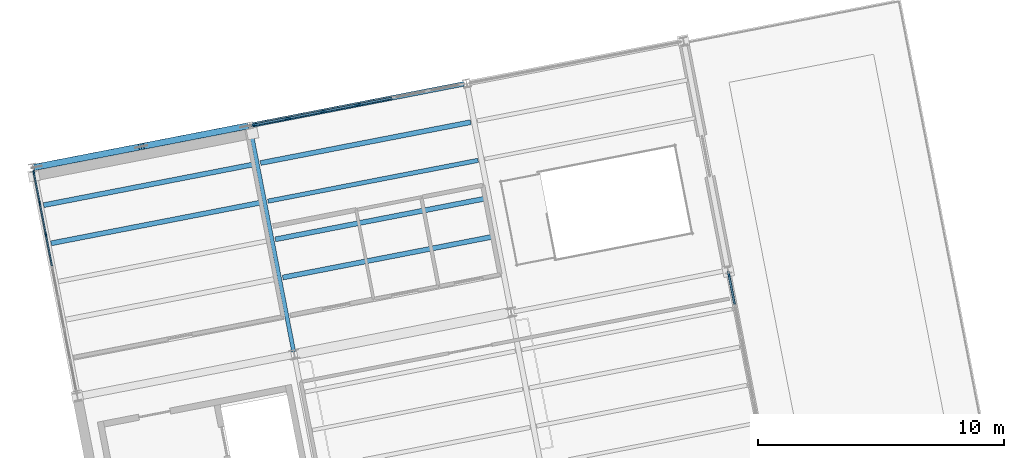
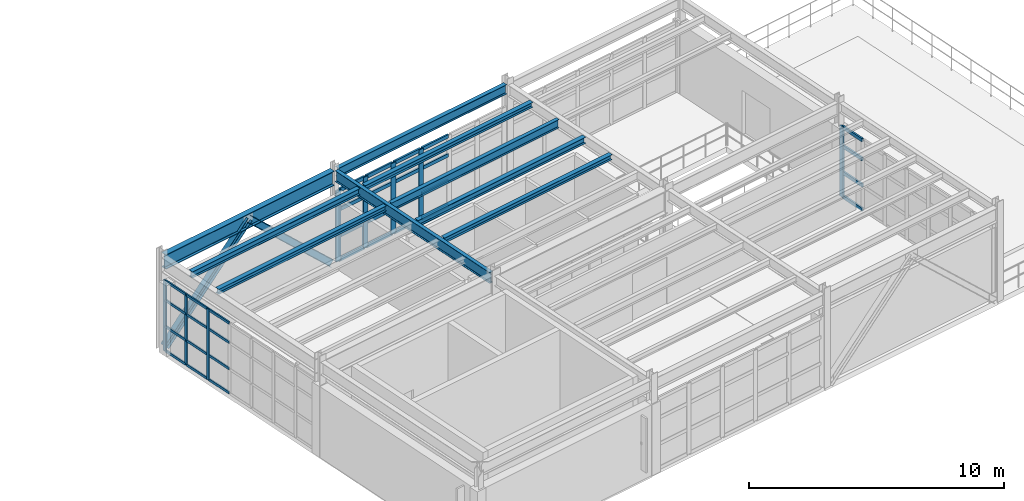
# One storey, part 20 of 102: 42 members, 9 beams, 3 elements without a shape of their own.
"""IFC4 building model written with IfcOpenShell, lengths in metres."""

from ifc_helpers import new_model, si_unit, direction, frame, origin, origin_2d, place, context, subcontext, project, spatial, rectangle, i_section, extrude, material, layer, layer_set, material_profile, profile_set, type_object, element, aggregate, save


model = new_model("IFC4")

# Units and contexts
model_context = context("Model", 3, precision=1e-05, world=origin(), true_north=direction((0.0, 1.0)))
body_context = subcontext(model_context, "Body", "Model", "MODEL_VIEW")
ifc_project = project(units=[si_unit("LENGTHUNIT", "METRE"), si_unit("AREAUNIT", "SQUARE_METRE"), si_unit("VOLUMEUNIT", "CUBIC_METRE"), si_unit("PLANEANGLEUNIT", "RADIAN"), si_unit("MASSUNIT", "GRAM", prefix="KILO")], contexts=[model_context])

# Site, building, storey
site_placement = place(None, origin())
site = spatial("IfcSite", under=ifc_project, at=site_placement, CompositionType="ELEMENT")
building_placement = place(site_placement, origin())
building = spatial("IfcBuilding", under=site, at=building_placement, Name="Vireo Bluff Cable Station", CompositionType="ELEMENT")
storey_placement = place(building_placement, frame((0.0, 0.0, 9.60009765625)))
storey = spatial("IfcBuildingStorey", under=building, at=storey_placement, Name="L02", CompositionType="ELEMENT", Elevation=9.60009765625)

# Beam
ifc_material_1 = material(Name="Steel ASTM A992 Gr. 50", Category="steel")
ifc_material_profile_1 = material_profile(ifc_material_1, i_section(OverallWidth=0.166015625, OverallDepth=0.528076171875, WebThickness=0.009765625, FlangeThickness=0.013671875, FilletRadius=0.012939453125, at=origin_2d()), Name="W21X50")
ifc_profile_set_1 = profile_set([ifc_material_profile_1], Name="Steel ASTM A992 Gr. 50")
beam_type_1 = type_object("IfcBeamType", Name="BM-W21X50", PredefinedType="BEAM", material=ifc_profile_set_1)
beam_1_placement = place(storey_placement, frame((16.4990234375, 16.66064453125, 4.23583984375), z_axis=(-0.190804735679, 0.981628011439, 0.0), x_axis=(-0.981628011439, -0.190804735679, 0.0)))
element("IfcBeam", 1, at=beam_1_placement, inside=storey, type_object=beam_type_1, Name="V5 L02 beam 1261", PredefinedType="BEAM", context=body_context, shape_type="SweptSolid", body=[
    extrude(i_section(OverallWidth=0.166015625, OverallDepth=0.528076171875, WebThickness=0.009765625, FlangeThickness=0.013671875, FilletRadius=0.012939453125, at=origin_2d()), origin(), (0.0, 0.0, 1.0), 9.260009765625),
])

# Members
ifc_material_profile_2 = material_profile(ifc_material_1, i_section(OverallWidth=0.25390625, OverallDepth=0.305908203125, WebThickness=0.0087890625, FlangeThickness=0.0146484375, FilletRadius=0.010986328125, at=origin_2d()), Name="W12X53")
ifc_profile_set_2 = profile_set([ifc_material_profile_2], Name="Steel ASTM A992 Gr. 50")
member_type_1 = type_object("IfcMemberType", Name="BRC-04", PredefinedType="BRACE", material=ifc_profile_set_2)
member_1_placement = place(storey_placement, frame((6.03173828125, 24.181396484375, 0.039794921875), z_axis=(0.710276289575, 0.13806631371, 0.690250161525), x_axis=(-0.190812443151, 0.981626513262, 0.0)))
element("IfcMember", 2, at=member_1_placement, inside=storey, type_object=member_type_1, Name="V5 L02 concentric brace 99L", PredefinedType="BRACE", context=body_context, shape_type="SweptSolid", body=[
    extrude(i_section(OverallWidth=0.25390625, OverallDepth=0.305908203125, WebThickness=0.0087890625, FlangeThickness=0.0146484375, FilletRadius=0.010986328125, at=origin_2d()), origin(), (0.0, 0.0, 1.0), 5.998046875),
])
ifc_material_profile_3 = material_profile(ifc_material_1, i_section(OverallWidth=0.25390625, OverallDepth=0.31005859375, WebThickness=0.009033203125, FlangeThickness=0.016357421875, FilletRadius=0.010986328125, at=origin_2d()), Name="W12X58")
ifc_profile_set_3 = profile_set([ifc_material_profile_3], Name="Steel ASTM A992 Gr. 50")
member_type_2 = type_object("IfcMemberType", Name="BRC-05", PredefinedType="BRACE", material=ifc_profile_set_3)
member_2_placement = place(storey_placement, frame((14.55224609375, 25.837646484375, 0.039794921875), z_axis=(-0.710276289575, -0.13806631371, 0.690250161525), x_axis=(0.190812443151, -0.981626513262, 0.0)))
element("IfcMember", 3, at=member_2_placement, inside=storey, type_object=member_type_2, Name="V5 L02 concentric brace 100R", PredefinedType="BRACE", context=body_context, shape_type="SweptSolid", body=[
    extrude(i_section(OverallWidth=0.25390625, OverallDepth=0.31005859375, WebThickness=0.009033203125, FlangeThickness=0.016357421875, FilletRadius=0.010986328125, at=origin_2d()), origin(), (0.0, 0.0, 1.0), 5.998046875),
])

# Curtain wall, member
ifc_material_2 = material(Name="Anodized Aluminium 6063-T6", Category="aluminium")
ifc_layer_1 = layer(ifc_material_2, 0.179931640625, Name="Anodized Aluminium 6063-T6")
ifc_layer_set_1 = layer_set([ifc_layer_1], Name="Anodized Aluminium 6063-T6")
curtain_wall_type_1 = type_object("IfcCurtainWallType", Name="CW-UNIT-1400", PredefinedType="USERDEFINED", material=ifc_layer_set_1)
curtain_wall_1_placement = place(storey_placement, origin())
curtain_wall_1 = element("IfcCurtainWall", 4, at=curtain_wall_1_placement, inside=storey, type_object=curtain_wall_type_1, Name="V5 L02 east curtain wall CW-129", ObjectType="UNITISED CURTAIN WALL", PredefinedType="USERDEFINED")
ifc_material_profile_4 = material_profile(ifc_material_2, rectangle(XDim=0.074951171875, YDim=0.2099609375, at=origin_2d()), Name="ALU-M-75X210")
ifc_profile_set_4 = profile_set([ifc_material_profile_4], Name="Anodized Aluminium 6063-T6")
member_type_3 = type_object("IfcMemberType", Name="CWM-02", PredefinedType="MULLION", material=ifc_profile_set_4)
member_3_placement = place(storey_placement, frame((34.223876953125, 19.808837890625, 0.0), z_axis=(0.0, 0.0, 1.0), x_axis=(0.981627178352, 0.190809021589, 0.0)))
member_3 = element("IfcMember", 5, at=member_3_placement, type_object=member_type_3, Name="CW-129 mullion 1", PredefinedType="MULLION", context=body_context, shape_type="SweptSolid", body=[
    extrude(rectangle(XDim=0.074951171875, YDim=0.2099609375, at=origin_2d()), origin(), (0.0, 0.0, 1.0), 3.39990234375),
])

# Curtain wall, members
curtain_wall_2_placement = place(storey_placement, origin())
curtain_wall_2 = element("IfcCurtainWall", 6, at=curtain_wall_2_placement, inside=storey, type_object=curtain_wall_type_1, Name="V5 L02 west curtain wall CW-126", ObjectType="UNITISED CURTAIN WALL", PredefinedType="USERDEFINED")
ifc_material_profile_5 = material_profile(ifc_material_2, rectangle(XDim=0.06005859375, YDim=0.159912109375, at=origin_2d()), Name="ALU-M-60X160")
ifc_profile_set_5 = profile_set([ifc_material_profile_5], Name="Anodized Aluminium 6063-T6")
member_type_4 = type_object("IfcMemberType", Name="CWM-03", PredefinedType="MULLION", material=ifc_profile_set_5)
member_4_placement = place(storey_placement, frame((6.406494140625, 21.414306640625, 0.0), z_axis=(0.0, 0.0, 1.0), x_axis=(-0.981627180714, -0.190809009442, 0.0)))
member_4 = element("IfcMember", 7, at=member_4_placement, type_object=member_type_4, Name="CW-126 mullion 6", PredefinedType="MULLION", context=body_context, shape_type="SweptSolid", body=[
    extrude(rectangle(XDim=0.06005859375, YDim=0.159912109375, at=origin_2d()), origin(), (0.0, 0.0, 1.0), 3.39990234375),
])
member_5_placement = place(storey_placement, frame((6.15673828125, 22.699951171875, 0.0), z_axis=(0.0, 0.0, 1.0), x_axis=(-0.981627180714, -0.190809009442, 0.0)))
member_5 = element("IfcMember", 8, at=member_5_placement, type_object=member_type_4, Name="CW-126 mullion 7", PredefinedType="MULLION", context=body_context, shape_type="SweptSolid", body=[
    extrude(rectangle(XDim=0.06005859375, YDim=0.159912109375, at=origin_2d()), origin(), (0.0, 0.0, 1.0), 3.39990234375),
])
member_6_placement = place(storey_placement, frame((5.91259765625, 23.9560546875, 0.0), z_axis=(0.0, 0.0, 1.0), x_axis=(-0.981627180714, -0.190809009442, 0.0)))
member_6 = element("IfcMember", 9, at=member_6_placement, type_object=member_type_4, Name="CW-126 mullion 8", PredefinedType="MULLION", context=body_context, shape_type="SweptSolid", body=[
    extrude(rectangle(XDim=0.06005859375, YDim=0.159912109375, at=origin_2d()), origin(), (0.0, 0.0, 1.0), 3.39990234375),
])

ifc_layer_2 = layer(ifc_material_2, 0.179931640625, Name="Anodized Aluminium 6063-T6")
ifc_layer_set_2 = layer_set([ifc_layer_2], Name="Anodized Aluminium 6063-T6")
curtain_wall_type_2 = type_object("IfcCurtainWallType", Name="CW-UNIT-1500", PredefinedType="USERDEFINED", material=ifc_layer_set_2)
curtain_wall_3_placement = place(storey_placement, origin())
curtain_wall_3 = element("IfcCurtainWall", 10, at=curtain_wall_3_placement, inside=storey, type_object=curtain_wall_type_2, Name="V5 L02 north curtain wall CW-127", ObjectType="UNITISED CURTAIN WALL", PredefinedType="USERDEFINED")
ifc_material_profile_6 = material_profile(ifc_material_2, rectangle(XDim=0.080078125, YDim=0.239990234375, at=origin_2d()), Name="ALU-M-80X240")
ifc_profile_set_6 = profile_set([ifc_material_profile_6], Name="Anodized Aluminium 6063-T6")
member_type_5 = type_object("IfcMemberType", Name="CWM-04", PredefinedType="MULLION", material=ifc_profile_set_6)
member_7_placement = place(storey_placement, frame((14.875732421875, 25.900634765625, 0.0), z_axis=(0.0, 0.0, 1.0), x_axis=(-0.19080899942, 0.981627182662, 0.0)))
member_7 = element("IfcMember", 11, at=member_7_placement, type_object=member_type_5, Name="CW-127 mullion 1", PredefinedType="MULLION", context=body_context, shape_type="SweptSolid", body=[
    extrude(rectangle(XDim=0.080078125, YDim=0.239990234375, at=origin_2d()), origin(), (0.0, 0.0, 1.0), 3.39990234375),
])
member_8_placement = place(storey_placement, frame((16.26171875, 26.169921875, 0.0), z_axis=(0.0, 0.0, 1.0), x_axis=(-0.19080899942, 0.981627182662, 0.0)))
member_8 = element("IfcMember", 12, at=member_8_placement, type_object=member_type_5, Name="CW-127 mullion 2", PredefinedType="MULLION", context=body_context, shape_type="SweptSolid", body=[
    extrude(rectangle(XDim=0.080078125, YDim=0.239990234375, at=origin_2d()), origin(), (0.0, 0.0, 1.0), 3.39990234375),
])
member_9_placement = place(storey_placement, frame((17.68701171875, 26.447021484375, 0.0), z_axis=(0.0, 0.0, 1.0), x_axis=(-0.19080899942, 0.981627182662, 0.0)))
member_9 = element("IfcMember", 13, at=member_9_placement, type_object=member_type_5, Name="CW-127 mullion 3", PredefinedType="MULLION", context=body_context, shape_type="SweptSolid", body=[
    extrude(rectangle(XDim=0.080078125, YDim=0.239990234375, at=origin_2d()), origin(), (0.0, 0.0, 1.0), 3.39990234375),
])
member_10_placement = place(storey_placement, frame((19.1123046875, 26.72412109375, 0.0), z_axis=(0.0, 0.0, 1.0), x_axis=(-0.19080899942, 0.981627182662, 0.0)))
member_10 = element("IfcMember", 14, at=member_10_placement, type_object=member_type_5, Name="CW-127 mullion 4", PredefinedType="MULLION", context=body_context, shape_type="SweptSolid", body=[
    extrude(rectangle(XDim=0.080078125, YDim=0.239990234375, at=origin_2d()), origin(), (0.0, 0.0, 1.0), 3.39990234375),
])

# Member
ifc_material_profile_7 = material_profile(ifc_material_2, rectangle(XDim=0.074951171875, YDim=0.159912109375, at=origin_2d()), Name="ALU-T-75X160")
ifc_profile_set_7 = profile_set([ifc_material_profile_7], Name="Anodized Aluminium 6063-T6")
member_type_6 = type_object("IfcMemberType", Name="CWT-02", PredefinedType="USERDEFINED", material=ifc_profile_set_7)
member_11_placement = place(storey_placement, frame((34.231201171875, 19.772216796875, 0.037353515625), z_axis=(0.190684852414, -0.981651306249, 0.0), x_axis=(0.981651306249, 0.190684852414, 0.0)))
member_11 = element("IfcMember", 15, at=member_11_placement, type_object=member_type_6, Name="CW-129 transom 1.1", ObjectType="TRANSOM", PredefinedType="USERDEFINED", context=body_context, shape_type="SweptSolid", body=[
    extrude(rectangle(XDim=0.074951171875, YDim=0.159912109375, at=origin_2d()), origin(), (0.0, 0.0, 1.0), 1.2021484375),
])

member_12_placement = place(storey_placement, frame((34.231201171875, 19.772216796875, 1.18994140625), z_axis=(0.190684852414, -0.981651306249, 0.0), x_axis=(0.981651306249, 0.190684852414, 0.0)))
member_12 = element("IfcMember", 16, at=member_12_placement, type_object=member_type_6, Name="CW-129 transom 1.2", ObjectType="TRANSOM", PredefinedType="USERDEFINED", context=body_context, shape_type="SweptSolid", body=[
    extrude(rectangle(XDim=0.074951171875, YDim=0.159912109375, at=origin_2d()), origin(), (0.0, 0.0, 1.0), 1.2021484375),
])

member_13_placement = place(storey_placement, frame((34.231201171875, 19.772216796875, 2.447998046875), z_axis=(0.190684852414, -0.981651306249, 0.0), x_axis=(0.981651306249, 0.190684852414, 0.0)))
member_13 = element("IfcMember", 17, at=member_13_placement, type_object=member_type_6, Name="CW-129 transom 1.3", ObjectType="TRANSOM", PredefinedType="USERDEFINED", context=body_context, shape_type="SweptSolid", body=[
    extrude(rectangle(XDim=0.074951171875, YDim=0.159912109375, at=origin_2d()), origin(), (0.0, 0.0, 1.0), 1.2021484375),
])

member_14_placement = place(storey_placement, frame((34.231201171875, 19.772216796875, 3.3623046875), z_axis=(0.190684852414, -0.981651306249, 0.0), x_axis=(0.981651306249, 0.190684852414, 0.0)))
member_14 = element("IfcMember", 18, at=member_14_placement, type_object=member_type_6, Name="CW-129 transom 1.4", ObjectType="TRANSOM", PredefinedType="USERDEFINED", context=body_context, shape_type="SweptSolid", body=[
    extrude(rectangle(XDim=0.074951171875, YDim=0.159912109375, at=origin_2d()), origin(), (0.0, 0.0, 1.0), 1.2021484375),
])

aggregate(curtain_wall_1, [member_3, member_11, member_12, member_13, member_14])

ifc_material_profile_8 = material_profile(ifc_material_2, rectangle(XDim=0.06005859375, YDim=0.1201171875, at=origin_2d()), Name="ALU-T-60X120")
ifc_profile_set_8 = profile_set([ifc_material_profile_8], Name="Anodized Aluminium 6063-T6")
member_type_7 = type_object("IfcMemberType", Name="CWT-03", PredefinedType="USERDEFINED", material=ifc_profile_set_8)
member_15_placement = place(storey_placement, frame((6.65087890625, 20.157958984375, 0.02978515625), z_axis=(-0.190853973226, 0.98161843957, 0.0), x_axis=(-0.98161843957, -0.190853973226, 0.0)))
member_15 = element("IfcMember", 19, at=member_15_placement, type_object=member_type_7, Name="CW-126 transom 5.1", ObjectType="TRANSOM", PredefinedType="USERDEFINED", context=body_context, shape_type="SweptSolid", body=[
    extrude(rectangle(XDim=0.06005859375, YDim=0.1201171875, at=origin_2d()), origin(), (0.0, 0.0, 1.0), 1.249755859375),
])

member_16_placement = place(storey_placement, frame((6.65087890625, 20.157958984375, 1.18994140625), z_axis=(-0.190853973226, 0.98161843957, 0.0), x_axis=(-0.98161843957, -0.190853973226, 0.0)))
member_16 = element("IfcMember", 20, at=member_16_placement, type_object=member_type_7, Name="CW-126 transom 5.2", ObjectType="TRANSOM", PredefinedType="USERDEFINED", context=body_context, shape_type="SweptSolid", body=[
    extrude(rectangle(XDim=0.06005859375, YDim=0.1201171875, at=origin_2d()), origin(), (0.0, 0.0, 1.0), 1.249755859375),
])

member_17_placement = place(storey_placement, frame((6.65087890625, 20.157958984375, 2.447998046875), z_axis=(-0.190853973226, 0.98161843957, 0.0), x_axis=(-0.98161843957, -0.190853973226, 0.0)))
member_17 = element("IfcMember", 21, at=member_17_placement, type_object=member_type_7, Name="CW-126 transom 5.3", ObjectType="TRANSOM", PredefinedType="USERDEFINED", context=body_context, shape_type="SweptSolid", body=[
    extrude(rectangle(XDim=0.06005859375, YDim=0.1201171875, at=origin_2d()), origin(), (0.0, 0.0, 1.0), 1.249755859375),
])

member_18_placement = place(storey_placement, frame((6.65087890625, 20.157958984375, 3.369873046875), z_axis=(-0.190853973226, 0.98161843957, 0.0), x_axis=(-0.98161843957, -0.190853973226, 0.0)))
member_18 = element("IfcMember", 22, at=member_18_placement, type_object=member_type_7, Name="CW-126 transom 5.4", ObjectType="TRANSOM", PredefinedType="USERDEFINED", context=body_context, shape_type="SweptSolid", body=[
    extrude(rectangle(XDim=0.06005859375, YDim=0.1201171875, at=origin_2d()), origin(), (0.0, 0.0, 1.0), 1.249755859375),
])

member_19_placement = place(storey_placement, frame((6.40087890625, 21.443603515625, 0.02978515625), z_axis=(-0.190853973226, 0.98161843957, 0.0), x_axis=(-0.98161843957, -0.190853973226, 0.0)))
member_19 = element("IfcMember", 23, at=member_19_placement, type_object=member_type_7, Name="CW-126 transom 6.1", ObjectType="TRANSOM", PredefinedType="USERDEFINED", context=body_context, shape_type="SweptSolid", body=[
    extrude(rectangle(XDim=0.06005859375, YDim=0.1201171875, at=origin_2d()), origin(), (0.0, 0.0, 1.0), 1.249755859375),
])

member_20_placement = place(storey_placement, frame((6.40087890625, 21.443603515625, 1.18994140625), z_axis=(-0.190853973226, 0.98161843957, 0.0), x_axis=(-0.98161843957, -0.190853973226, 0.0)))
member_20 = element("IfcMember", 24, at=member_20_placement, type_object=member_type_7, Name="CW-126 transom 6.2", ObjectType="TRANSOM", PredefinedType="USERDEFINED", context=body_context, shape_type="SweptSolid", body=[
    extrude(rectangle(XDim=0.06005859375, YDim=0.1201171875, at=origin_2d()), origin(), (0.0, 0.0, 1.0), 1.249755859375),
])

member_21_placement = place(storey_placement, frame((6.40087890625, 21.443603515625, 2.447998046875), z_axis=(-0.190853973226, 0.98161843957, 0.0), x_axis=(-0.98161843957, -0.190853973226, 0.0)))
member_21 = element("IfcMember", 25, at=member_21_placement, type_object=member_type_7, Name="CW-126 transom 6.3", ObjectType="TRANSOM", PredefinedType="USERDEFINED", context=body_context, shape_type="SweptSolid", body=[
    extrude(rectangle(XDim=0.06005859375, YDim=0.1201171875, at=origin_2d()), origin(), (0.0, 0.0, 1.0), 1.249755859375),
])

member_22_placement = place(storey_placement, frame((6.40087890625, 21.443603515625, 3.369873046875), z_axis=(-0.190853973226, 0.98161843957, 0.0), x_axis=(-0.98161843957, -0.190853973226, 0.0)))
member_22 = element("IfcMember", 26, at=member_22_placement, type_object=member_type_7, Name="CW-126 transom 6.4", ObjectType="TRANSOM", PredefinedType="USERDEFINED", context=body_context, shape_type="SweptSolid", body=[
    extrude(rectangle(XDim=0.06005859375, YDim=0.1201171875, at=origin_2d()), origin(), (0.0, 0.0, 1.0), 1.249755859375),
])

member_23_placement = place(storey_placement, frame((6.15087890625, 22.729248046875, 0.02978515625), z_axis=(-0.190762503487, 0.981636219413, 0.0), x_axis=(-0.981636219413, -0.190762503487, 0.0)))
member_23 = element("IfcMember", 27, at=member_23_placement, type_object=member_type_7, Name="CW-126 transom 7.1", ObjectType="TRANSOM", PredefinedType="USERDEFINED", context=body_context, shape_type="SweptSolid", body=[
    extrude(rectangle(XDim=0.06005859375, YDim=0.1201171875, at=origin_2d()), origin(), (0.0, 0.0, 1.0), 1.2197265625),
])

member_24_placement = place(storey_placement, frame((6.15087890625, 22.729248046875, 1.18994140625), z_axis=(-0.190762503487, 0.981636219413, 0.0), x_axis=(-0.981636219413, -0.190762503487, 0.0)))
member_24 = element("IfcMember", 28, at=member_24_placement, type_object=member_type_7, Name="CW-126 transom 7.2", ObjectType="TRANSOM", PredefinedType="USERDEFINED", context=body_context, shape_type="SweptSolid", body=[
    extrude(rectangle(XDim=0.06005859375, YDim=0.1201171875, at=origin_2d()), origin(), (0.0, 0.0, 1.0), 1.2197265625),
])

member_25_placement = place(storey_placement, frame((6.15087890625, 22.729248046875, 2.447998046875), z_axis=(-0.190762503487, 0.981636219413, 0.0), x_axis=(-0.981636219413, -0.190762503487, 0.0)))
member_25 = element("IfcMember", 29, at=member_25_placement, type_object=member_type_7, Name="CW-126 transom 7.3", ObjectType="TRANSOM", PredefinedType="USERDEFINED", context=body_context, shape_type="SweptSolid", body=[
    extrude(rectangle(XDim=0.06005859375, YDim=0.1201171875, at=origin_2d()), origin(), (0.0, 0.0, 1.0), 1.2197265625),
])

member_26_placement = place(storey_placement, frame((6.15087890625, 22.729248046875, 3.369873046875), z_axis=(-0.190762503487, 0.981636219413, 0.0), x_axis=(-0.981636219413, -0.190762503487, 0.0)))
member_26 = element("IfcMember", 30, at=member_26_placement, type_object=member_type_7, Name="CW-126 transom 7.4", ObjectType="TRANSOM", PredefinedType="USERDEFINED", context=body_context, shape_type="SweptSolid", body=[
    extrude(rectangle(XDim=0.06005859375, YDim=0.1201171875, at=origin_2d()), origin(), (0.0, 0.0, 1.0), 1.2197265625),
])

aggregate(curtain_wall_2, [member_4, member_5, member_6, member_15, member_16, member_17, member_18, member_19, member_20, member_21, member_22, member_23, member_24, member_25, member_26])

ifc_material_profile_9 = material_profile(ifc_material_2, rectangle(XDim=0.080078125, YDim=0.175048828125, at=origin_2d()), Name="ALU-T-80X175")
ifc_profile_set_9 = profile_set([ifc_material_profile_9], Name="Anodized Aluminium 6063-T6")
member_type_8 = type_object("IfcMemberType", Name="CWT-04", PredefinedType="USERDEFINED", material=ifc_profile_set_9)
member_27_placement = place(storey_placement, frame((14.9150390625, 25.908203125, 0.039794921875), z_axis=(0.981623974934, 0.19082550101, 0.0), x_axis=(-0.19082550101, 0.981623974934, 0.0)))
member_27 = element("IfcMember", 31, at=member_27_placement, type_object=member_type_8, Name="CW-127 transom 1.1", ObjectType="TRANSOM", PredefinedType="USERDEFINED", context=body_context, shape_type="SweptSolid", body=[
    extrude(rectangle(XDim=0.080078125, YDim=0.175048828125, at=origin_2d()), origin(), (0.0, 0.0, 1.0), 1.331787109375),
])

member_28_placement = place(storey_placement, frame((14.9150390625, 25.908203125, 1.18994140625), z_axis=(0.981623974934, 0.19082550101, 0.0), x_axis=(-0.19082550101, 0.981623974934, 0.0)))
member_28 = element("IfcMember", 32, at=member_28_placement, type_object=member_type_8, Name="CW-127 transom 1.2", ObjectType="TRANSOM", PredefinedType="USERDEFINED", context=body_context, shape_type="SweptSolid", body=[
    extrude(rectangle(XDim=0.080078125, YDim=0.175048828125, at=origin_2d()), origin(), (0.0, 0.0, 1.0), 1.331787109375),
])

member_29_placement = place(storey_placement, frame((14.9150390625, 25.908203125, 2.447998046875), z_axis=(0.981623974934, 0.19082550101, 0.0), x_axis=(-0.19082550101, 0.981623974934, 0.0)))
member_29 = element("IfcMember", 33, at=member_29_placement, type_object=member_type_8, Name="CW-127 transom 1.3", ObjectType="TRANSOM", PredefinedType="USERDEFINED", context=body_context, shape_type="SweptSolid", body=[
    extrude(rectangle(XDim=0.080078125, YDim=0.175048828125, at=origin_2d()), origin(), (0.0, 0.0, 1.0), 1.331787109375),
])

member_30_placement = place(storey_placement, frame((14.9150390625, 25.908203125, 3.35986328125), z_axis=(0.981623974934, 0.19082550101, 0.0), x_axis=(-0.19082550101, 0.981623974934, 0.0)))
member_30 = element("IfcMember", 34, at=member_30_placement, type_object=member_type_8, Name="CW-127 transom 1.4", ObjectType="TRANSOM", PredefinedType="USERDEFINED", context=body_context, shape_type="SweptSolid", body=[
    extrude(rectangle(XDim=0.080078125, YDim=0.175048828125, at=origin_2d()), origin(), (0.0, 0.0, 1.0), 1.331787109375),
])

member_31_placement = place(storey_placement, frame((16.301025390625, 26.177490234375, 0.039794921875), z_axis=(0.981600568141, 0.190945868313, 0.0), x_axis=(-0.190945868313, 0.981600568141, 0.0)))
member_31 = element("IfcMember", 35, at=member_31_placement, type_object=member_type_8, Name="CW-127 transom 2.1", ObjectType="TRANSOM", PredefinedType="USERDEFINED", context=body_context, shape_type="SweptSolid", body=[
    extrude(rectangle(XDim=0.080078125, YDim=0.175048828125, at=origin_2d()), origin(), (0.0, 0.0, 1.0), 1.371826171875),
])

member_32_placement = place(storey_placement, frame((16.301025390625, 26.177490234375, 1.18994140625), z_axis=(0.981600568141, 0.190945868313, 0.0), x_axis=(-0.190945868313, 0.981600568141, 0.0)))
member_32 = element("IfcMember", 36, at=member_32_placement, type_object=member_type_8, Name="CW-127 transom 2.2", ObjectType="TRANSOM", PredefinedType="USERDEFINED", context=body_context, shape_type="SweptSolid", body=[
    extrude(rectangle(XDim=0.080078125, YDim=0.175048828125, at=origin_2d()), origin(), (0.0, 0.0, 1.0), 1.371826171875),
])

member_33_placement = place(storey_placement, frame((16.301025390625, 26.177490234375, 2.447998046875), z_axis=(0.981600568141, 0.190945868313, 0.0), x_axis=(-0.190945868313, 0.981600568141, 0.0)))
member_33 = element("IfcMember", 37, at=member_33_placement, type_object=member_type_8, Name="CW-127 transom 2.3", ObjectType="TRANSOM", PredefinedType="USERDEFINED", context=body_context, shape_type="SweptSolid", body=[
    extrude(rectangle(XDim=0.080078125, YDim=0.175048828125, at=origin_2d()), origin(), (0.0, 0.0, 1.0), 1.371826171875),
])

member_34_placement = place(storey_placement, frame((16.301025390625, 26.177490234375, 3.35986328125), z_axis=(0.981600568141, 0.190945868313, 0.0), x_axis=(-0.190945868313, 0.981600568141, 0.0)))
member_34 = element("IfcMember", 38, at=member_34_placement, type_object=member_type_8, Name="CW-127 transom 2.4", ObjectType="TRANSOM", PredefinedType="USERDEFINED", context=body_context, shape_type="SweptSolid", body=[
    extrude(rectangle(XDim=0.080078125, YDim=0.175048828125, at=origin_2d()), origin(), (0.0, 0.0, 1.0), 1.371826171875),
])

member_35_placement = place(storey_placement, frame((17.726318359375, 26.45458984375, 0.039794921875), z_axis=(0.981600568141, 0.190945868313, 0.0), x_axis=(-0.190945868313, 0.981600568141, 0.0)))
member_35 = element("IfcMember", 39, at=member_35_placement, type_object=member_type_8, Name="CW-127 transom 3.1", ObjectType="TRANSOM", PredefinedType="USERDEFINED", context=body_context, shape_type="SweptSolid", body=[
    extrude(rectangle(XDim=0.080078125, YDim=0.175048828125, at=origin_2d()), origin(), (0.0, 0.0, 1.0), 1.371826171875),
])

member_36_placement = place(storey_placement, frame((17.726318359375, 26.45458984375, 1.18994140625), z_axis=(0.981600568141, 0.190945868313, 0.0), x_axis=(-0.190945868313, 0.981600568141, 0.0)))
member_36 = element("IfcMember", 40, at=member_36_placement, type_object=member_type_8, Name="CW-127 transom 3.2", ObjectType="TRANSOM", PredefinedType="USERDEFINED", context=body_context, shape_type="SweptSolid", body=[
    extrude(rectangle(XDim=0.080078125, YDim=0.175048828125, at=origin_2d()), origin(), (0.0, 0.0, 1.0), 1.371826171875),
])

member_37_placement = place(storey_placement, frame((17.726318359375, 26.45458984375, 2.447998046875), z_axis=(0.981600568141, 0.190945868313, 0.0), x_axis=(-0.190945868313, 0.981600568141, 0.0)))
member_37 = element("IfcMember", 41, at=member_37_placement, type_object=member_type_8, Name="CW-127 transom 3.3", ObjectType="TRANSOM", PredefinedType="USERDEFINED", context=body_context, shape_type="SweptSolid", body=[
    extrude(rectangle(XDim=0.080078125, YDim=0.175048828125, at=origin_2d()), origin(), (0.0, 0.0, 1.0), 1.371826171875),
])

member_38_placement = place(storey_placement, frame((17.726318359375, 26.45458984375, 3.35986328125), z_axis=(0.981600568141, 0.190945868313, 0.0), x_axis=(-0.190945868313, 0.981600568141, 0.0)))
member_38 = element("IfcMember", 42, at=member_38_placement, type_object=member_type_8, Name="CW-127 transom 3.4", ObjectType="TRANSOM", PredefinedType="USERDEFINED", context=body_context, shape_type="SweptSolid", body=[
    extrude(rectangle(XDim=0.080078125, YDim=0.175048828125, at=origin_2d()), origin(), (0.0, 0.0, 1.0), 1.371826171875),
])

member_39_placement = place(storey_placement, frame((19.151611328125, 26.731689453125, 0.039794921875), z_axis=(0.981640384064, 0.190741071546, 0.0), x_axis=(-0.190741071546, 0.981640384064, 0.0)))
member_39 = element("IfcMember", 43, at=member_39_placement, type_object=member_type_8, Name="CW-127 transom 4.1", ObjectType="TRANSOM", PredefinedType="USERDEFINED", context=body_context, shape_type="SweptSolid", body=[
    extrude(rectangle(XDim=0.080078125, YDim=0.175048828125, at=origin_2d()), origin(), (0.0, 0.0, 1.0), 1.3720703125),
])

member_40_placement = place(storey_placement, frame((19.151611328125, 26.731689453125, 1.18994140625), z_axis=(0.981640384064, 0.190741071546, 0.0), x_axis=(-0.190741071546, 0.981640384064, 0.0)))
member_40 = element("IfcMember", 44, at=member_40_placement, type_object=member_type_8, Name="CW-127 transom 4.2", ObjectType="TRANSOM", PredefinedType="USERDEFINED", context=body_context, shape_type="SweptSolid", body=[
    extrude(rectangle(XDim=0.080078125, YDim=0.175048828125, at=origin_2d()), origin(), (0.0, 0.0, 1.0), 1.3720703125),
])

member_41_placement = place(storey_placement, frame((19.151611328125, 26.731689453125, 2.447998046875), z_axis=(0.981640384064, 0.190741071546, 0.0), x_axis=(-0.190741071546, 0.981640384064, 0.0)))
member_41 = element("IfcMember", 45, at=member_41_placement, type_object=member_type_8, Name="CW-127 transom 4.3", ObjectType="TRANSOM", PredefinedType="USERDEFINED", context=body_context, shape_type="SweptSolid", body=[
    extrude(rectangle(XDim=0.080078125, YDim=0.175048828125, at=origin_2d()), origin(), (0.0, 0.0, 1.0), 1.3720703125),
])

member_42_placement = place(storey_placement, frame((19.151611328125, 26.731689453125, 3.35986328125), z_axis=(0.981640384064, 0.190741071546, 0.0), x_axis=(-0.190741071546, 0.981640384064, 0.0)))
member_42 = element("IfcMember", 46, at=member_42_placement, type_object=member_type_8, Name="CW-127 transom 4.4", ObjectType="TRANSOM", PredefinedType="USERDEFINED", context=body_context, shape_type="SweptSolid", body=[
    extrude(rectangle(XDim=0.080078125, YDim=0.175048828125, at=origin_2d()), origin(), (0.0, 0.0, 1.0), 1.3720703125),
])

aggregate(curtain_wall_3, [member_7, member_8, member_9, member_10, member_27, member_28, member_29, member_30, member_31, member_32, member_33, member_34, member_35, member_36, member_37, member_38, member_39, member_40, member_41, member_42])

# Beams
ifc_material_profile_10 = material_profile(ifc_material_1, i_section(OverallWidth=0.201904296875, OverallDepth=0.2470703125, WebThickness=0.00732421875, FlangeThickness=0.010986328125, FilletRadius=0.009033203125, at=origin_2d()), Name="W10X33")
ifc_profile_set_10 = profile_set([ifc_material_profile_10], Name="Steel ASTM A992 Gr. 50")
beam_type_2 = type_object("IfcBeamType", Name="JST-W10X33", PredefinedType="JOIST", material=ifc_profile_set_10)
for number, where, z_axis, x_axis, name in (
    (47, (6.6162109375, 21.069091796875, 4.37646484375), (0.981628064538, 0.190804462503, 0.0), (-0.190804462503, 0.981628064538, 0.0), "V5 L02 composite joist 1269"),
    (48, (16.05517578125, 19.677978515625, 4.37646484375), (0.981628064538, 0.190804462503, 0.0), (-0.190804462503, 0.981628064538, 0.0), "V5 L02 composite joist 1277"),
):
    element("IfcBeam", number, at=place(storey_placement, frame(where, z_axis=z_axis, x_axis=x_axis)), inside=storey, type_object=beam_type_2, Name=name, PredefinedType="JOIST", context=body_context, shape_type="SweptSolid", body=[
        extrude(i_section(OverallWidth=0.201904296875, OverallDepth=0.2470703125, WebThickness=0.00732421875, FlangeThickness=0.010986328125, FilletRadius=0.009033203125, at=origin_2d()), origin(), (0.0, 0.0, 1.0), 8.719970703125),
    ])
beam_2_placement = place(storey_placement, frame((15.14892578125, 24.340576171875, 4.37646484375), z_axis=(0.981621800631, 0.190836685485, 0.0), x_axis=(-0.190836685485, 0.981621800631, 0.0)))
element("IfcBeam", 49, at=beam_2_placement, inside=storey, type_object=beam_type_2, Name="V5 L02 composite joist 1280", PredefinedType="JOIST", context=body_context, shape_type="SweptSolid", body=[
    extrude(i_section(OverallWidth=0.201904296875, OverallDepth=0.2470703125, WebThickness=0.00732421875, FlangeThickness=0.010986328125, FilletRadius=0.009033203125, at=origin_2d()), origin(), (0.0, 0.0, 1.0), 8.7197265625),
])
ifc_material_profile_11 = material_profile(ifc_material_1, i_section(OverallWidth=0.202880859375, OverallDepth=0.302978515625, WebThickness=0.007568359375, FlangeThickness=0.01318359375, FilletRadius=0.010009765625, at=origin_2d()), Name="W12X40")
ifc_profile_set_11 = profile_set([ifc_material_profile_11], Name="Steel ASTM A992 Gr. 50")
beam_type_3 = type_object("IfcBeamType", Name="JST-W12X40", PredefinedType="JOIST", material=ifc_profile_set_11)
for number, where, z_axis, x_axis, name in (
    (50, (6.314208984375, 22.623291015625, 4.348388671875), (0.98162282025, 0.190831440713, 0.0), (-0.190831440713, 0.98162282025, 0.0), "V5 L02 composite joist 1270"),
    (51, (15.7529296875, 21.232177734375, 4.348388671875), (0.981628064538, 0.190804462503, 0.0), (-0.190804462503, 0.981628064538, 0.0), "V5 L02 composite joist 1278"),
):
    element("IfcBeam", number, at=place(storey_placement, frame(where, z_axis=z_axis, x_axis=x_axis)), inside=storey, type_object=beam_type_3, Name=name, PredefinedType="JOIST", context=body_context, shape_type="SweptSolid", body=[
        extrude(i_section(OverallWidth=0.202880859375, OverallDepth=0.302978515625, WebThickness=0.007568359375, FlangeThickness=0.01318359375, FilletRadius=0.010009765625, at=origin_2d()), origin(), (0.0, 0.0, 1.0), 8.719970703125),
    ])
ifc_material_profile_12 = material_profile(ifc_material_1, i_section(OverallWidth=0.177978515625, OverallDepth=0.404052734375, WebThickness=0.007568359375, FlangeThickness=0.010986328125, FilletRadius=0.010009765625, at=origin_2d()), Name="W16X36")
ifc_profile_set_12 = profile_set([ifc_material_profile_12], Name="Steel ASTM A992 Gr. 50")
beam_type_4 = type_object("IfcBeamType", Name="JST-W16X36", PredefinedType="JOIST", material=ifc_profile_set_12)
beam_3_placement = place(storey_placement, frame((15.450927734375, 22.786376953125, 4.2978515625), z_axis=(0.981628064538, 0.190804462503, 0.0), x_axis=(-0.190804462503, 0.981628064538, 0.0)))
element("IfcBeam", 52, at=beam_3_placement, inside=storey, type_object=beam_type_4, Name="V5 L02 composite joist 1279", PredefinedType="JOIST", context=body_context, shape_type="SweptSolid", body=[
    extrude(i_section(OverallWidth=0.177978515625, OverallDepth=0.404052734375, WebThickness=0.007568359375, FlangeThickness=0.010986328125, FilletRadius=0.010009765625, at=origin_2d()), origin(), (0.0, 0.0, 1.0), 8.719970703125),
])
ifc_material_profile_13 = material_profile(ifc_material_1, i_section(OverallWidth=0.19091796875, OverallDepth=0.45703125, WebThickness=0.009033203125, FlangeThickness=0.014404296875, FilletRadius=0.011962890625, at=origin_2d()), Name="W18X50")
ifc_profile_set_13 = profile_set([ifc_material_profile_13], Name="Steel ASTM A992 Gr. 50")
beam_type_5 = type_object("IfcBeamType", Name="SPN-W18X50", PredefinedType="SPANDREL", material=ifc_profile_set_13)
beam_4_placement = place(storey_placement, frame((14.8271484375, 25.89111328125, 4.271484375), z_axis=(0.981628586979, 0.190801774693, 0.0), x_axis=(-0.190801774693, 0.981628586979, 0.0)))
element("IfcBeam", 53, at=beam_4_placement, inside=storey, type_object=beam_type_5, Name="V5 L02 spandrel 1256", PredefinedType="SPANDREL", context=body_context, shape_type="SweptSolid", body=[
    extrude(i_section(OverallWidth=0.19091796875, OverallDepth=0.45703125, WebThickness=0.009033203125, FlangeThickness=0.014404296875, FilletRadius=0.011962890625, at=origin_2d()), origin(), (0.0, 0.0, 1.0), 8.759765625),
])
ifc_material_profile_14 = material_profile(ifc_material_1, i_section(OverallWidth=0.257080078125, OverallDepth=0.693115234375, WebThickness=0.014404296875, FlangeThickness=0.023681640625, FilletRadius=0.014892578125, at=origin_2d()), Name="W27X114")
ifc_profile_set_14 = profile_set([ifc_material_profile_14], Name="Steel ASTM A992 Gr. 50")
beam_type_6 = type_object("IfcBeamType", Name="SPN-W27X114", PredefinedType="SPANDREL", material=ifc_profile_set_14)
beam_5_placement = place(storey_placement, frame((5.992431640625, 24.173828125, 4.1533203125), z_axis=(0.981629601573, 0.190796554777, 0.0), x_axis=(-0.190796554777, 0.981629601573, 0.0)))
element("IfcBeam", 54, at=beam_5_placement, inside=storey, type_object=beam_type_6, Name="V5 L02 spandrel 1255", PredefinedType="SPANDREL", context=body_context, shape_type="SweptSolid", body=[
    extrude(i_section(OverallWidth=0.257080078125, OverallDepth=0.693115234375, WebThickness=0.014404296875, FlangeThickness=0.023681640625, FilletRadius=0.014892578125, at=origin_2d()), origin(), (0.0, 0.0, 1.0), 8.760009765625),
])

save(model, "model.ifc")
